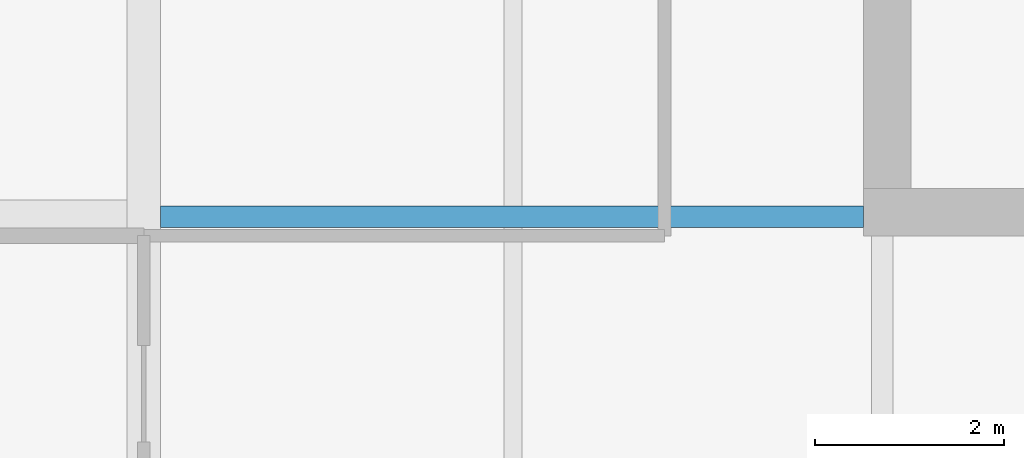
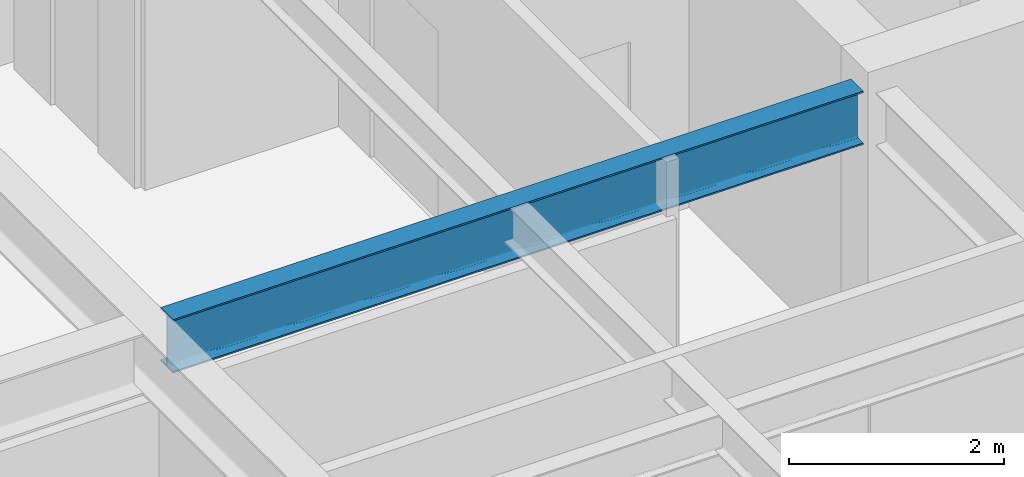
# One storey, part 8 of 33: 1 beam.
"""IFC4 building model written with IfcOpenShell, lengths in metres."""

from ifc_helpers import new_model, si_unit, direction, frame, origin, origin_2d, place, context, subcontext, project, spatial, i_section, extrude, material, material_profile, profile_set, type_object, element, save


model = new_model("IFC4")

# Units and contexts
model_context = context("Model", 3, precision=1e-05, world=origin(), true_north=direction((0.0, 1.0)))
body_context = subcontext(model_context, "Body", "Model", "MODEL_VIEW")
ifc_project = project(units=[si_unit("LENGTHUNIT", "METRE"), si_unit("AREAUNIT", "SQUARE_METRE"), si_unit("VOLUMEUNIT", "CUBIC_METRE"), si_unit("PLANEANGLEUNIT", "RADIAN"), si_unit("MASSUNIT", "GRAM", prefix="KILO")], contexts=[model_context])

# Site, building, storey
site_placement = place(None, origin())
site = spatial("IfcSite", under=ifc_project, at=site_placement, CompositionType="ELEMENT")
building_placement = place(site_placement, origin())
building = spatial("IfcBuilding", under=site, at=building_placement, Name="Drelvath Grand Hotel", CompositionType="ELEMENT")
storey_placement = place(building_placement, frame((0.0, 0.0, 168.14990234375)))
storey = spatial("IfcBuildingStorey", under=building, at=storey_placement, Name="L43", CompositionType="ELEMENT", Elevation=168.14990234375)

# Beam
ifc_material = material(Name="Steel ASTM A992 Gr 50", Category="steel")
ifc_material_profile = material_profile(ifc_material, i_section(OverallWidth=0.228271484375, OverallDepth=0.607666015625, WebThickness=0.01123046875, FlangeThickness=0.017333984375, FilletRadius=0.02001953125, at=origin_2d()), Name="W24X76")
ifc_profile_set = profile_set([ifc_material_profile], Name="Steel ASTM A992 Gr 50")
beam_type = type_object("IfcBeamType", Name="Primary Floor Girder W24X76", PredefinedType="BEAM", material=ifc_profile_set)
beam_placement = place(storey_placement, frame((-16.022705078125, 18.60009765625, 2.986328125), z_axis=(1.0, 0.0, 0.0), x_axis=(0.0, 1.0, 0.0)))
element("IfcBeam", 1, at=beam_placement, inside=storey, type_object=beam_type, Name="L43 West Core Tie D", PredefinedType="BEAM", context=body_context, shape_type="SweptSolid", body=[
    extrude(i_section(OverallWidth=0.228271484375, OverallDepth=0.607666015625, WebThickness=0.01123046875, FlangeThickness=0.017333984375, FilletRadius=0.02001953125, at=origin_2d()), origin(), (0.0, 0.0, 1.0), 7.422607421875),
])

save(model, "model.ifc")
